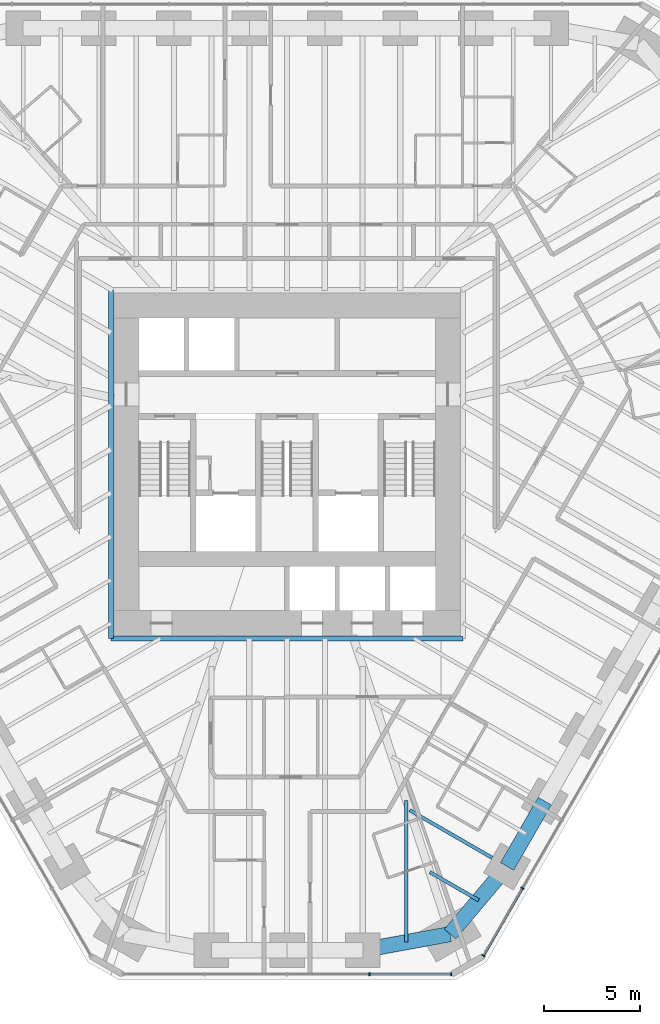
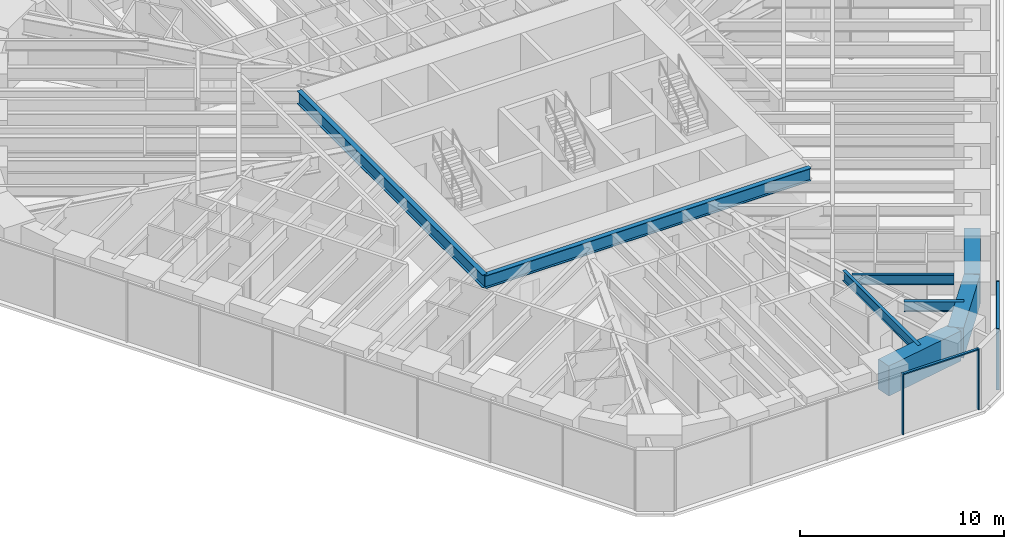
# One storey, part 4 of 17: 8 beams, 6 members, 2 elements without a shape of their own.
"""IFC4 building model written with IfcOpenShell, lengths in metres."""

from ifc_helpers import new_model, si_unit, direction, frame, origin, origin_2d, place, context, subcontext, project, spatial, rectangle, i_section, extrude, material, material_profile, profile_set, type_object, element, aggregate, save


model = new_model("IFC4")

# Units and contexts
model_context = context("Model", 3, precision=1e-05, world=origin(), true_north=direction((0.0, 1.0)))
body_context = subcontext(model_context, "Body", "Model", "MODEL_VIEW")
ifc_project = project(units=[si_unit("LENGTHUNIT", "METRE"), si_unit("AREAUNIT", "SQUARE_METRE"), si_unit("VOLUMEUNIT", "CUBIC_METRE"), si_unit("PLANEANGLEUNIT", "RADIAN"), si_unit("MASSUNIT", "GRAM", prefix="KILO")], contexts=[model_context])

# Site, building, storey
site_placement = place(None, origin())
site = spatial("IfcSite", under=ifc_project, at=site_placement, CompositionType="ELEMENT")
building_placement = place(site_placement, origin())
building = spatial("IfcBuilding", under=site, at=building_placement, Name="Sandreach Pilgrim Tower", CompositionType="ELEMENT")
storey_placement = place(building_placement, frame((0.0, 0.0, 108.199951171875)))
storey = spatial("IfcBuildingStorey", under=building, at=storey_placement, Name="L26", CompositionType="ELEMENT", Elevation=108.199951171875)

# Curtain wall, members
ifc_material_1 = material(Name="Aluminium framed curtain wall", Category="aluminium")
curtain_wall_type = type_object("IfcCurtainWallType", Name="Hotel tower curtain wall", PredefinedType="NOTDEFINED", material=ifc_material_1)
curtain_wall_1_placement = place(storey_placement, origin())
curtain_wall_1 = element("IfcCurtainWall", 1, at=curtain_wall_1_placement, inside=storey, type_object=curtain_wall_type, Name="CW-2 L26 SE", PredefinedType="NOTDEFINED")
ifc_material_2 = material(Name="Aluminium extrusion", Category="aluminium")
ifc_material_profile_1 = material_profile(ifc_material_2, rectangle(XDim=0.06494140625, YDim=0.179931640625, at=origin_2d()), Name="CW-2M 65X180")
ifc_profile_set_1 = profile_set([ifc_material_profile_1], Name="Aluminium extrusion")
member_type_1 = type_object("IfcMemberType", Name="CW-2 mullion", PredefinedType="MULLION", material=ifc_profile_set_1)
member_1_placement = place(storey_placement, frame((12.29296875, -23.695556640625, 0.0), z_axis=(0.0, 0.0, 1.0), x_axis=(-0.5, -0.866025403784, 0.0)))
member_1 = element("IfcMember", 2, at=member_1_placement, type_object=member_type_1, Name="CW-2 mullion 9", PredefinedType="MULLION", context=body_context, shape_type="SweptSolid", body=[
    extrude(rectangle(XDim=0.06494140625, YDim=0.179931640625, at=origin_2d()), origin(), (0.0, 0.0, 1.0), 3.64013671875),
])
member_2_placement = place(storey_placement, frame((10.255859375, -27.22412109375, 0.0), z_axis=(0.0, 0.0, 1.0), x_axis=(-0.5, -0.866025403784, 0.0)))
member_2 = element("IfcMember", 3, at=member_2_placement, type_object=member_type_1, Name="CW-2 mullion 10", PredefinedType="MULLION", context=body_context, shape_type="SweptSolid", body=[
    extrude(rectangle(XDim=0.06494140625, YDim=0.179931640625, at=origin_2d()), origin(), (0.0, 0.0, 1.0), 3.64013671875),
])

curtain_wall_2_placement = place(storey_placement, origin())
curtain_wall_2 = element("IfcCurtainWall", 4, at=curtain_wall_2_placement, inside=storey, type_object=curtain_wall_type, Name="CW-2 L26 S", PredefinedType="NOTDEFINED")
member_3_placement = place(storey_placement, frame((8.578857421875, -28.192138671875, 0.0), z_axis=(0.0, 0.0, 1.0), x_axis=(-1.0, 0.0, 0.0)))
member_3 = element("IfcMember", 5, at=member_3_placement, type_object=member_type_1, Name="CW-2 mullion 1", PredefinedType="MULLION", context=body_context, shape_type="SweptSolid", body=[
    extrude(rectangle(XDim=0.06494140625, YDim=0.179931640625, at=origin_2d()), origin(), (0.0, 0.0, 1.0), 3.64013671875),
])
member_4_placement = place(storey_placement, frame((4.3056640625, -28.192138671875, 0.0), z_axis=(0.0, 0.0, 1.0), x_axis=(-1.0, 0.0, 0.0)))
member_4 = element("IfcMember", 6, at=member_4_placement, type_object=member_type_1, Name="CW-2 mullion 2", PredefinedType="MULLION", context=body_context, shape_type="SweptSolid", body=[
    extrude(rectangle(XDim=0.06494140625, YDim=0.179931640625, at=origin_2d()), origin(), (0.0, 0.0, 1.0), 3.64013671875),
])

# Member
ifc_material_3 = material(Name="Aluminium extrusion", Category="aluminium")
ifc_material_profile_2 = material_profile(ifc_material_3, rectangle(XDim=0.139892578125, YDim=0.070068359375, at=origin_2d()), Name="CW-2T 140X70")
ifc_profile_set_2 = profile_set([ifc_material_profile_2], Name="Aluminium extrusion")
member_type_2 = type_object("IfcMemberType", Name="CW-2 transom", PredefinedType="USERDEFINED", material=ifc_profile_set_2)
member_5_placement = place(storey_placement, frame((12.27685546875, -23.7236328125, 3.60498046875), z_axis=(-0.500015851672, -0.866016251624, 0.0), x_axis=(0.866016251624, -0.500015851672, 0.0)))
member_5 = element("IfcMember", 7, at=member_5_placement, type_object=member_type_2, Name="CW-2 head transom 9", ObjectType="TRANSOM", PredefinedType="USERDEFINED", context=body_context, shape_type="SweptSolid", body=[
    extrude(rectangle(XDim=0.139892578125, YDim=0.070068359375, at=origin_2d()), origin(), (0.0, 0.0, 1.0), 4.009521484375),
])

aggregate(curtain_wall_1, [member_1, member_2, member_5])

member_6_placement = place(storey_placement, frame((8.54638671875, -28.192138671875, 3.60498046875), z_axis=(-1.0, 0.0, 0.0), x_axis=(0.0, -1.0, 0.0)))
member_6 = element("IfcMember", 8, at=member_6_placement, type_object=member_type_2, Name="CW-2 head transom 1", ObjectType="TRANSOM", PredefinedType="USERDEFINED", context=body_context, shape_type="SweptSolid", body=[
    extrude(rectangle(XDim=0.139892578125, YDim=0.070068359375, at=origin_2d()), origin(), (0.0, 0.0, 1.0), 4.208251953125),
])

aggregate(curtain_wall_2, [member_3, member_4, member_6])

# Beams
ifc_material_4 = material(Name="Steel ASTM A992 Grade 50", Category="steel")
ifc_material_profile_3 = material_profile(ifc_material_4, i_section(OverallWidth=0.2666015625, OverallDepth=0.77978515625, WebThickness=0.0166015625, FlangeThickness=0.030029296875, at=origin_2d()), Name="W30X148")
ifc_profile_set_3 = profile_set([ifc_material_profile_3], Name="Steel ASTM A992 Grade 50")
beam_type_1 = type_object("IfcBeamType", Name="Core edge beam W30X148", PredefinedType="BEAM", material=ifc_profile_set_3)
beam_1_placement = place(storey_placement, frame((9.193359375, -10.643310546875, 3.250244140625), z_axis=(-1.0, 0.0, 0.0), x_axis=(0.0, -1.0, 0.0)))
element("IfcBeam", 9, at=beam_1_placement, inside=storey, type_object=beam_type_1, Name="BM L26 CES", PredefinedType="BEAM", context=body_context, shape_type="SweptSolid", body=[
    extrude(i_section(OverallWidth=0.2666015625, OverallDepth=0.77978515625, WebThickness=0.0166015625, FlangeThickness=0.030029296875, at=origin_2d()), origin(), (0.0, 0.0, 1.0), 18.38671875),
])
beam_2_placement = place(storey_placement, frame((-9.193359375, -10.643310546875, 3.250244140625), z_axis=(0.0, 1.0, 0.0), x_axis=(-1.0, 0.0, 0.0)))
element("IfcBeam", 10, at=beam_2_placement, inside=storey, type_object=beam_type_1, Name="BM L26 CEW", PredefinedType="BEAM", context=body_context, shape_type="SweptSolid", body=[
    extrude(i_section(OverallWidth=0.2666015625, OverallDepth=0.77978515625, WebThickness=0.0166015625, FlangeThickness=0.030029296875, at=origin_2d()), origin(), (0.0, 0.0, 1.0), 18.186767578125),
])
ifc_material_5 = material(Name="Steel ASTM A992 Grade 50", Category="steel")
ifc_material_profile_4 = material_profile(ifc_material_5, i_section(OverallWidth=0.1787109375, OverallDepth=0.60205078125, WebThickness=0.010986328125, FlangeThickness=0.014892578125, at=origin_2d()), Name="W24X62")
ifc_profile_set_4 = profile_set([ifc_material_profile_4], Name="Steel ASTM A992 Grade 50")
beam_type_2 = type_object("IfcBeamType", Name="Floor beam W24X62", PredefinedType="BEAM", material=ifc_profile_set_4)
beam_3_placement = place(storey_placement, frame((10.714599609375, -22.109130859375, 3.339111328125), z_axis=(-0.866024645457, 0.500001313459, 0.0), x_axis=(-0.500001313459, -0.866024645457, 0.0)))
element("IfcBeam", 11, at=beam_3_placement, inside=storey, type_object=beam_type_2, Name="BM L26 F21", PredefinedType="BEAM", context=body_context, shape_type="SweptSolid", body=[
    extrude(i_section(OverallWidth=0.1787109375, OverallDepth=0.60205078125, WebThickness=0.010986328125, FlangeThickness=0.014892578125, at=origin_2d()), origin(), (0.0, 0.0, 1.0), 4.9765625),
])
beam_4_placement = place(storey_placement, frame((10.006103515625, -24.326904296875, 3.339111328125), z_axis=(-0.866015396618, 0.500017332519, 0.0), x_axis=(-0.500017332519, -0.866015396618, 0.0)))
element("IfcBeam", 12, at=beam_4_placement, inside=storey, type_object=beam_type_2, Name="BM L26 FM21", PredefinedType="BEAM", context=body_context, shape_type="SweptSolid", body=[
    extrude(i_section(OverallWidth=0.1787109375, OverallDepth=0.60205078125, WebThickness=0.010986328125, FlangeThickness=0.014892578125, at=origin_2d()), origin(), (0.0, 0.0, 1.0), 2.9384765625),
])
beam_5_placement = place(storey_placement, frame((6.236572265625, -26.51318359375, 3.339111328125), z_axis=(0.0, 1.0, 0.0), x_axis=(-1.0, 0.0, 0.0)))
element("IfcBeam", 13, at=beam_5_placement, inside=storey, type_object=beam_type_2, Name="BM L26 FM22", PredefinedType="BEAM", context=body_context, shape_type="SweptSolid", body=[
    extrude(i_section(OverallWidth=0.1787109375, OverallDepth=0.60205078125, WebThickness=0.010986328125, FlangeThickness=0.014892578125, at=origin_2d()), origin(), (0.0, 0.0, 1.0), 7.40771484375),
])
ifc_material_6 = material(Name="Concrete 10000 psi", Category="concrete")
ifc_material_profile_5 = material_profile(ifc_material_6, rectangle(XDim=0.800048828125, YDim=1.800048828125, at=origin_2d()), Name="RC800X1800")
ifc_profile_set_5 = profile_set([ifc_material_profile_5], Name="Concrete 10000 psi")
beam_type_3 = type_object("IfcBeamType", Name="Spandrel beam RC800X1800", PredefinedType="SPANDREL", material=ifc_profile_set_5)
beam_6_placement = place(storey_placement, frame((13.464111328125, -19.147216796875, 2.739990234375), z_axis=(-0.49999779889, -0.866026674592, 0.0), x_axis=(0.866026674592, -0.49999779889, 0.0)))
element("IfcBeam", 14, at=beam_6_placement, inside=storey, type_object=beam_type_3, Name="BM L26 SP20", PredefinedType="SPANDREL", context=body_context, shape_type="SweptSolid", body=[
    extrude(rectangle(XDim=0.800048828125, YDim=1.800048828125, at=origin_2d()), origin(), (0.0, 0.0, 1.0), 3.93994140625),
])
beam_7_placement = place(storey_placement, frame((11.494140625, -22.559326171875, 2.739990234375), z_axis=(-0.644078801547, -0.764959147535, 0.0), x_axis=(0.764959147535, -0.644078801547, 0.0)))
element("IfcBeam", 15, at=beam_7_placement, inside=storey, type_object=beam_type_3, Name="BM L26 SP21", PredefinedType="SPANDREL", context=body_context, shape_type="SweptSolid", body=[
    extrude(rectangle(XDim=0.800048828125, YDim=1.800048828125, at=origin_2d()), origin(), (0.0, 0.0, 1.0), 4.62109375),
])
beam_8_placement = place(storey_placement, frame((8.517822265625, -26.09423828125, 2.739990234375), z_axis=(-0.983551746136, -0.180626583516, 0.0), x_axis=(0.180626583516, -0.983551746136, 0.0)))
element("IfcBeam", 16, at=beam_8_placement, inside=storey, type_object=beam_type_3, Name="BM L26 SP22", PredefinedType="SPANDREL", context=body_context, shape_type="SweptSolid", body=[
    extrude(rectangle(XDim=0.800048828125, YDim=1.800048828125, at=origin_2d()), origin(), (0.0, 0.0, 1.0), 4.638916015625),
])

save(model, "model.ifc")
